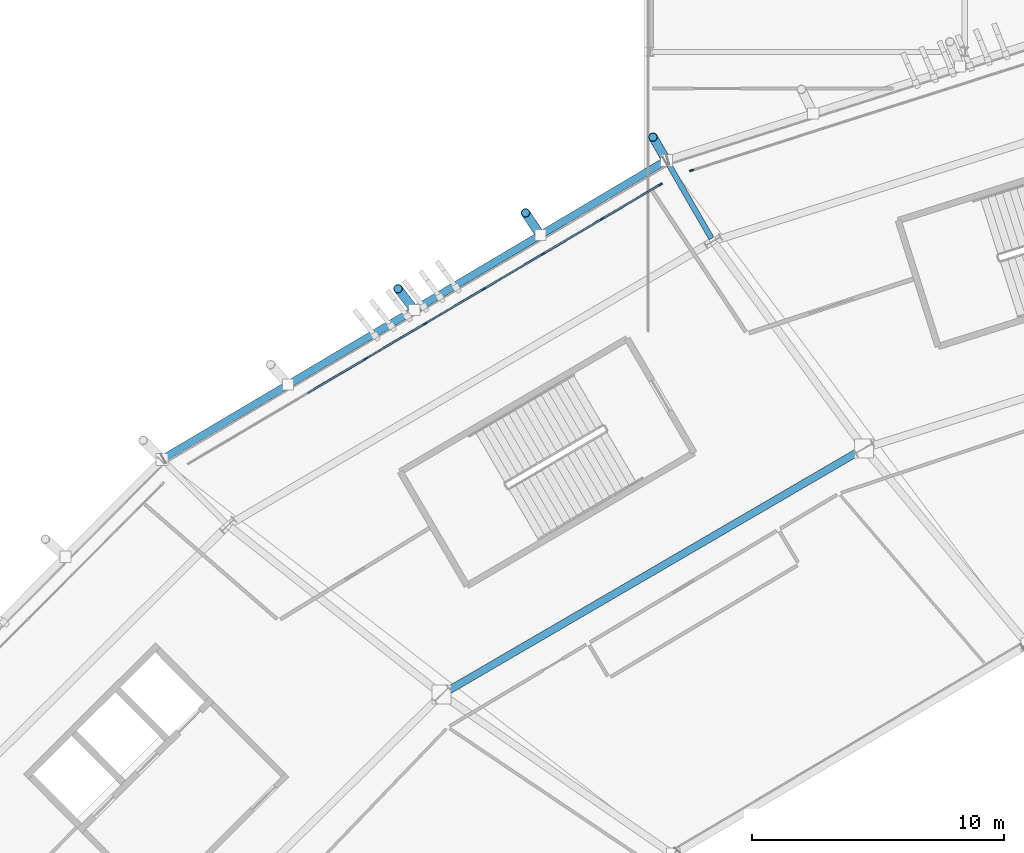
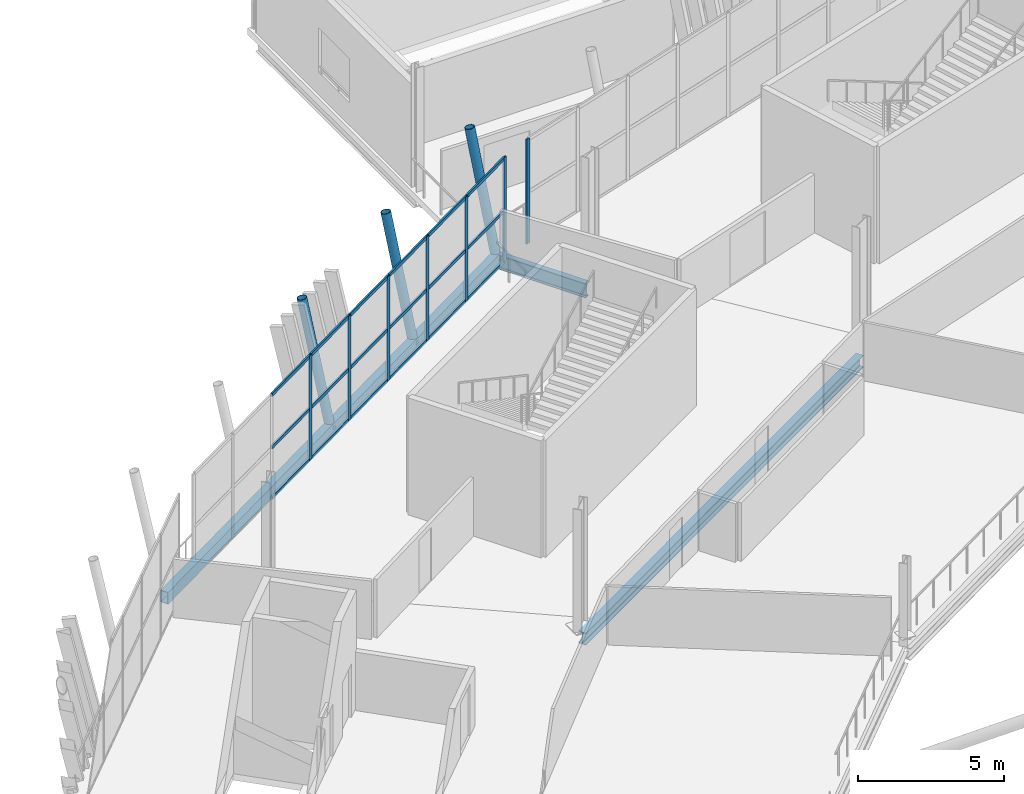
# One storey, part 65 of 168: 28 members, 3 beams, 2 elements without a shape of their own.
"""IFC4 building model written with IfcOpenShell, lengths in metres."""

from ifc_helpers import new_model, si_unit, direction, frame, origin, origin_2d, place, context, subcontext, project, spatial, rectangle, hollow_rectangle, hollow_circle, i_section, extrude, material, material_profile, profile_set, type_object, element, aggregate, save


model = new_model("IFC4")

# Units and contexts
model_context = context("Model", 3, precision=1e-05, world=origin(), true_north=direction((0.0, 1.0)))
body_context = subcontext(model_context, "Body", "Model", "MODEL_VIEW")
ifc_project = project(units=[si_unit("LENGTHUNIT", "METRE"), si_unit("AREAUNIT", "SQUARE_METRE"), si_unit("VOLUMEUNIT", "CUBIC_METRE"), si_unit("PLANEANGLEUNIT", "RADIAN"), si_unit("MASSUNIT", "GRAM", prefix="KILO")], contexts=[model_context])

# Site, building, storey
site_placement = place(None, origin())
site = spatial("IfcSite", under=ifc_project, at=site_placement, CompositionType="ELEMENT")
building_placement = place(site_placement, origin())
building = spatial("IfcBuilding", under=site, at=building_placement, Name="Zlatoyarsky Gate Stadium", CompositionType="ELEMENT")
storey_placement = place(building_placement, frame((0.0, 0.0, 15.60009765625)))
storey = spatial("IfcBuildingStorey", under=building, at=storey_placement, Name="L03", CompositionType="ELEMENT", Elevation=15.60009765625)

# Curtain wall, member
ifc_material_1 = material(Name="Thermally broken anodised aluminium curtain wall", Category="aluminium")
curtain_wall_type = type_object("IfcCurtainWallType", Name="UNITISED CORPORATE BOX GLAZING L03", PredefinedType="USERDEFINED", material=ifc_material_1)
curtain_wall_1_placement = place(storey_placement, origin())
curtain_wall_1 = element("IfcCurtainWall", 1, at=curtain_wall_1_placement, inside=storey, type_object=curtain_wall_type, Name="Curtain wall CW-L03-07", ObjectType="UNITISED GLAZING", PredefinedType="USERDEFINED")
ifc_material_2 = material(Name="Anodised aluminium 6063-T6", Category="aluminium")
ifc_material_profile_1 = material_profile(ifc_material_2, rectangle(XDim=0.06494140625, YDim=0.159912109375, at=origin_2d()), Name="ALU 65X160")
ifc_profile_set_1 = profile_set([ifc_material_profile_1], Name="Anodised aluminium 6063-T6")
member_type_1 = type_object("IfcMemberType", Name="ALUMINIUM MULLION 65X160", PredefinedType="MULLION", material=ifc_profile_set_1)
member_1_placement = place(storey_placement, frame((63.649169921875, 144.29541015625, 0.0), z_axis=(0.0, 0.0, 1.0), x_axis=(0.304162129597, -0.952620280552, 0.0)))
member_1 = element("IfcMember", 2, at=member_1_placement, type_object=member_type_1, Name="CW-UG3 mullion 10", PredefinedType="MULLION", context=body_context, shape_type="SweptSolid", body=[
    extrude(rectangle(XDim=0.06494140625, YDim=0.159912109375, at=origin_2d()), origin(), (0.0, 0.0, 1.0), 4.3798828125),
])
aggregate(curtain_wall_1, [member_1])

# Curtain wall, members
curtain_wall_2_placement = place(storey_placement, origin())
curtain_wall_2 = element("IfcCurtainWall", 3, at=curtain_wall_2_placement, inside=storey, type_object=curtain_wall_type, Name="Curtain wall CW-L03-08", ObjectType="UNITISED GLAZING", PredefinedType="USERDEFINED")
member_2_placement = place(storey_placement, frame((62.411376953125, 143.740234375, 0.0), z_axis=(0.0, 0.0, 1.0), x_axis=(0.509098466593, -0.860708284678, 0.0)))
member_2 = element("IfcMember", 4, at=member_2_placement, type_object=member_type_1, Name="CW-UG3 mullion 1", PredefinedType="MULLION", context=body_context, shape_type="SweptSolid", body=[
    extrude(rectangle(XDim=0.06494140625, YDim=0.159912109375, at=origin_2d()), origin(), (0.0, 0.0, 1.0), 4.3798828125),
])
member_3_placement = place(storey_placement, frame((60.093994140625, 142.36962890625, 0.0), z_axis=(0.0, 0.0, 1.0), x_axis=(0.509098466593, -0.860708284678, 0.0)))
member_3 = element("IfcMember", 5, at=member_3_placement, type_object=member_type_1, Name="CW-UG3 mullion 2", PredefinedType="MULLION", context=body_context, shape_type="SweptSolid", body=[
    extrude(rectangle(XDim=0.06494140625, YDim=0.159912109375, at=origin_2d()), origin(), (0.0, 0.0, 1.0), 4.3798828125),
])
member_4_placement = place(storey_placement, frame((57.74853515625, 140.982177734375, 0.0), z_axis=(0.0, 0.0, 1.0), x_axis=(0.509098466593, -0.860708284678, 0.0)))
member_4 = element("IfcMember", 6, at=member_4_placement, type_object=member_type_1, Name="CW-UG3 mullion 3", PredefinedType="MULLION", context=body_context, shape_type="SweptSolid", body=[
    extrude(rectangle(XDim=0.06494140625, YDim=0.159912109375, at=origin_2d()), origin(), (0.0, 0.0, 1.0), 4.3798828125),
])
member_5_placement = place(storey_placement, frame((55.403076171875, 139.594970703125, 0.0), z_axis=(0.0, 0.0, 1.0), x_axis=(0.509098466593, -0.860708284678, 0.0)))
member_5 = element("IfcMember", 7, at=member_5_placement, type_object=member_type_1, Name="CW-UG3 mullion 4", PredefinedType="MULLION", context=body_context, shape_type="SweptSolid", body=[
    extrude(rectangle(XDim=0.06494140625, YDim=0.159912109375, at=origin_2d()), origin(), (0.0, 0.0, 1.0), 4.3798828125),
])
member_6_placement = place(storey_placement, frame((53.0576171875, 138.207763671875, 0.0), z_axis=(0.0, 0.0, 1.0), x_axis=(0.509098466593, -0.860708284678, 0.0)))
member_6 = element("IfcMember", 8, at=member_6_placement, type_object=member_type_1, Name="CW-UG3 mullion 5", PredefinedType="MULLION", context=body_context, shape_type="SweptSolid", body=[
    extrude(rectangle(XDim=0.06494140625, YDim=0.159912109375, at=origin_2d()), origin(), (0.0, 0.0, 1.0), 4.3798828125),
])
member_7_placement = place(storey_placement, frame((50.712158203125, 136.8203125, 0.0), z_axis=(0.0, 0.0, 1.0), x_axis=(0.509098466593, -0.860708284678, 0.0)))
member_7 = element("IfcMember", 9, at=member_7_placement, type_object=member_type_1, Name="CW-UG3 mullion 6", PredefinedType="MULLION", context=body_context, shape_type="SweptSolid", body=[
    extrude(rectangle(XDim=0.06494140625, YDim=0.159912109375, at=origin_2d()), origin(), (0.0, 0.0, 1.0), 4.3798828125),
])
ifc_material_profile_2 = material_profile(ifc_material_2, rectangle(XDim=0.06494140625, YDim=0.139892578125, at=origin_2d()), Name="ALU 65X140")
ifc_profile_set_2 = profile_set([ifc_material_profile_2], Name="Anodised aluminium 6063-T6")
member_type_2 = type_object("IfcMemberType", Name="ALUMINIUM TRANSOM 65X140", PredefinedType="USERDEFINED", material=ifc_profile_set_2)
member_8_placement = place(storey_placement, frame((62.383544921875, 143.723876953125, 0.032470703125), z_axis=(-0.860730397217, -0.509061080133, 0.0), x_axis=(0.509061080133, -0.860730397217, 0.0)))
member_8 = element("IfcMember", 10, at=member_8_placement, type_object=member_type_2, Name="CW-UG3 transom 1.1", ObjectType="TRANSOM", PredefinedType="USERDEFINED", context=body_context, shape_type="SweptSolid", body=[
    extrude(rectangle(XDim=0.06494140625, YDim=0.139892578125, at=origin_2d()), origin(), (0.0, 0.0, 1.0), 2.627685546875),
])
member_9_placement = place(storey_placement, frame((62.383544921875, 143.723876953125, 2.14990234375), z_axis=(-0.860730397217, -0.509061080133, 0.0), x_axis=(0.509061080133, -0.860730397217, 0.0)))
member_9 = element("IfcMember", 11, at=member_9_placement, type_object=member_type_2, Name="CW-UG3 transom 1.2", ObjectType="TRANSOM", PredefinedType="USERDEFINED", context=body_context, shape_type="SweptSolid", body=[
    extrude(rectangle(XDim=0.06494140625, YDim=0.139892578125, at=origin_2d()), origin(), (0.0, 0.0, 1.0), 2.627685546875),
])
member_10_placement = place(storey_placement, frame((62.383544921875, 143.723876953125, 4.347412109375), z_axis=(-0.860730397217, -0.509061080133, 0.0), x_axis=(0.509061080133, -0.860730397217, 0.0)))
member_10 = element("IfcMember", 12, at=member_10_placement, type_object=member_type_2, Name="CW-UG3 transom 1.3", ObjectType="TRANSOM", PredefinedType="USERDEFINED", context=body_context, shape_type="SweptSolid", body=[
    extrude(rectangle(XDim=0.06494140625, YDim=0.139892578125, at=origin_2d()), origin(), (0.0, 0.0, 1.0), 2.627685546875),
])
member_11_placement = place(storey_placement, frame((60.06591796875, 142.35302734375, 0.032470703125), z_axis=(-0.860707189663, -0.509100317878, 0.0), x_axis=(0.509100317878, -0.860707189663, 0.0)))
member_11 = element("IfcMember", 13, at=member_11_placement, type_object=member_type_2, Name="CW-UG3 transom 2.1", ObjectType="TRANSOM", PredefinedType="USERDEFINED", context=body_context, shape_type="SweptSolid", body=[
    extrude(rectangle(XDim=0.06494140625, YDim=0.139892578125, at=origin_2d()), origin(), (0.0, 0.0, 1.0), 2.66015625),
])
member_12_placement = place(storey_placement, frame((60.06591796875, 142.35302734375, 2.14990234375), z_axis=(-0.860707189663, -0.509100317878, 0.0), x_axis=(0.509100317878, -0.860707189663, 0.0)))
member_12 = element("IfcMember", 14, at=member_12_placement, type_object=member_type_2, Name="CW-UG3 transom 2.2", ObjectType="TRANSOM", PredefinedType="USERDEFINED", context=body_context, shape_type="SweptSolid", body=[
    extrude(rectangle(XDim=0.06494140625, YDim=0.139892578125, at=origin_2d()), origin(), (0.0, 0.0, 1.0), 2.66015625),
])
member_13_placement = place(storey_placement, frame((60.06591796875, 142.35302734375, 4.347412109375), z_axis=(-0.860707189663, -0.509100317878, 0.0), x_axis=(0.509100317878, -0.860707189663, 0.0)))
member_13 = element("IfcMember", 15, at=member_13_placement, type_object=member_type_2, Name="CW-UG3 transom 2.3", ObjectType="TRANSOM", PredefinedType="USERDEFINED", context=body_context, shape_type="SweptSolid", body=[
    extrude(rectangle(XDim=0.06494140625, YDim=0.139892578125, at=origin_2d()), origin(), (0.0, 0.0, 1.0), 2.66015625),
])
member_14_placement = place(storey_placement, frame((57.720458984375, 140.9658203125, 0.032470703125), z_axis=(-0.860707189663, -0.509100317878, 0.0), x_axis=(0.509100317878, -0.860707189663, 0.0)))
member_14 = element("IfcMember", 16, at=member_14_placement, type_object=member_type_2, Name="CW-UG3 transom 3.1", ObjectType="TRANSOM", PredefinedType="USERDEFINED", context=body_context, shape_type="SweptSolid", body=[
    extrude(rectangle(XDim=0.06494140625, YDim=0.139892578125, at=origin_2d()), origin(), (0.0, 0.0, 1.0), 2.66015625),
])
member_15_placement = place(storey_placement, frame((57.720458984375, 140.9658203125, 2.14990234375), z_axis=(-0.860707189663, -0.509100317878, 0.0), x_axis=(0.509100317878, -0.860707189663, 0.0)))
member_15 = element("IfcMember", 17, at=member_15_placement, type_object=member_type_2, Name="CW-UG3 transom 3.2", ObjectType="TRANSOM", PredefinedType="USERDEFINED", context=body_context, shape_type="SweptSolid", body=[
    extrude(rectangle(XDim=0.06494140625, YDim=0.139892578125, at=origin_2d()), origin(), (0.0, 0.0, 1.0), 2.66015625),
])
member_16_placement = place(storey_placement, frame((57.720458984375, 140.9658203125, 4.347412109375), z_axis=(-0.860707189663, -0.509100317878, 0.0), x_axis=(0.509100317878, -0.860707189663, 0.0)))
member_16 = element("IfcMember", 18, at=member_16_placement, type_object=member_type_2, Name="CW-UG3 transom 3.3", ObjectType="TRANSOM", PredefinedType="USERDEFINED", context=body_context, shape_type="SweptSolid", body=[
    extrude(rectangle(XDim=0.06494140625, YDim=0.139892578125, at=origin_2d()), origin(), (0.0, 0.0, 1.0), 2.66015625),
])
member_17_placement = place(storey_placement, frame((55.375, 139.578369140625, 0.032470703125), z_axis=(-0.860707189663, -0.509100317878, 0.0), x_axis=(0.509100317878, -0.860707189663, 0.0)))
member_17 = element("IfcMember", 19, at=member_17_placement, type_object=member_type_2, Name="CW-UG3 transom 4.1", ObjectType="TRANSOM", PredefinedType="USERDEFINED", context=body_context, shape_type="SweptSolid", body=[
    extrude(rectangle(XDim=0.06494140625, YDim=0.139892578125, at=origin_2d()), origin(), (0.0, 0.0, 1.0), 2.66015625),
])
member_18_placement = place(storey_placement, frame((55.375, 139.578369140625, 2.14990234375), z_axis=(-0.860707189663, -0.509100317878, 0.0), x_axis=(0.509100317878, -0.860707189663, 0.0)))
member_18 = element("IfcMember", 20, at=member_18_placement, type_object=member_type_2, Name="CW-UG3 transom 4.2", ObjectType="TRANSOM", PredefinedType="USERDEFINED", context=body_context, shape_type="SweptSolid", body=[
    extrude(rectangle(XDim=0.06494140625, YDim=0.139892578125, at=origin_2d()), origin(), (0.0, 0.0, 1.0), 2.66015625),
])
member_19_placement = place(storey_placement, frame((55.375, 139.578369140625, 4.347412109375), z_axis=(-0.860707189663, -0.509100317878, 0.0), x_axis=(0.509100317878, -0.860707189663, 0.0)))
member_19 = element("IfcMember", 21, at=member_19_placement, type_object=member_type_2, Name="CW-UG3 transom 4.3", ObjectType="TRANSOM", PredefinedType="USERDEFINED", context=body_context, shape_type="SweptSolid", body=[
    extrude(rectangle(XDim=0.06494140625, YDim=0.139892578125, at=origin_2d()), origin(), (0.0, 0.0, 1.0), 2.66015625),
])
member_20_placement = place(storey_placement, frame((53.029541015625, 138.191162109375, 0.032470703125), z_axis=(-0.860707189663, -0.509100317878, 0.0), x_axis=(0.509100317878, -0.860707189663, 0.0)))
member_20 = element("IfcMember", 22, at=member_20_placement, type_object=member_type_2, Name="CW-UG3 transom 5.1", ObjectType="TRANSOM", PredefinedType="USERDEFINED", context=body_context, shape_type="SweptSolid", body=[
    extrude(rectangle(XDim=0.06494140625, YDim=0.139892578125, at=origin_2d()), origin(), (0.0, 0.0, 1.0), 2.66015625),
])
member_21_placement = place(storey_placement, frame((53.029541015625, 138.191162109375, 2.14990234375), z_axis=(-0.860707189663, -0.509100317878, 0.0), x_axis=(0.509100317878, -0.860707189663, 0.0)))
member_21 = element("IfcMember", 23, at=member_21_placement, type_object=member_type_2, Name="CW-UG3 transom 5.2", ObjectType="TRANSOM", PredefinedType="USERDEFINED", context=body_context, shape_type="SweptSolid", body=[
    extrude(rectangle(XDim=0.06494140625, YDim=0.139892578125, at=origin_2d()), origin(), (0.0, 0.0, 1.0), 2.66015625),
])
member_22_placement = place(storey_placement, frame((53.029541015625, 138.191162109375, 4.347412109375), z_axis=(-0.860707189663, -0.509100317878, 0.0), x_axis=(0.509100317878, -0.860707189663, 0.0)))
member_22 = element("IfcMember", 24, at=member_22_placement, type_object=member_type_2, Name="CW-UG3 transom 5.3", ObjectType="TRANSOM", PredefinedType="USERDEFINED", context=body_context, shape_type="SweptSolid", body=[
    extrude(rectangle(XDim=0.06494140625, YDim=0.139892578125, at=origin_2d()), origin(), (0.0, 0.0, 1.0), 2.66015625),
])
member_23_placement = place(storey_placement, frame((50.68408203125, 136.8037109375, 0.032470703125), z_axis=(-0.860707189663, -0.509100317878, 0.0), x_axis=(0.509100317878, -0.860707189663, 0.0)))
member_23 = element("IfcMember", 25, at=member_23_placement, type_object=member_type_2, Name="CW-UG3 transom 6.1", ObjectType="TRANSOM", PredefinedType="USERDEFINED", context=body_context, shape_type="SweptSolid", body=[
    extrude(rectangle(XDim=0.06494140625, YDim=0.139892578125, at=origin_2d()), origin(), (0.0, 0.0, 1.0), 2.66015625),
])
member_24_placement = place(storey_placement, frame((50.68408203125, 136.8037109375, 2.14990234375), z_axis=(-0.860707189663, -0.509100317878, 0.0), x_axis=(0.509100317878, -0.860707189663, 0.0)))
member_24 = element("IfcMember", 26, at=member_24_placement, type_object=member_type_2, Name="CW-UG3 transom 6.2", ObjectType="TRANSOM", PredefinedType="USERDEFINED", context=body_context, shape_type="SweptSolid", body=[
    extrude(rectangle(XDim=0.06494140625, YDim=0.139892578125, at=origin_2d()), origin(), (0.0, 0.0, 1.0), 2.66015625),
])
member_25_placement = place(storey_placement, frame((50.68408203125, 136.8037109375, 4.347412109375), z_axis=(-0.860707189663, -0.509100317878, 0.0), x_axis=(0.509100317878, -0.860707189663, 0.0)))
member_25 = element("IfcMember", 27, at=member_25_placement, type_object=member_type_2, Name="CW-UG3 transom 6.3", ObjectType="TRANSOM", PredefinedType="USERDEFINED", context=body_context, shape_type="SweptSolid", body=[
    extrude(rectangle(XDim=0.06494140625, YDim=0.139892578125, at=origin_2d()), origin(), (0.0, 0.0, 1.0), 2.66015625),
])
aggregate(curtain_wall_2, [member_2, member_3, member_4, member_5, member_6, member_7, member_8, member_9, member_10, member_11, member_12, member_13, member_14, member_15, member_16, member_17, member_18, member_19, member_20, member_21, member_22, member_23, member_24, member_25])

# Beam
ifc_material_3 = material(Name="Steel S355", Category="steel")
ifc_material_profile_3 = material_profile(ifc_material_3, i_section(OverallWidth=0.219970703125, OverallDepth=0.60009765625, WebThickness=0.011962890625, FlangeThickness=0.01904296875, FilletRadius=0.02392578125, at=origin_2d()), Name="IPE 600")
ifc_profile_set_3 = profile_set([ifc_material_profile_3], Name="Steel S355")
beam_type_1 = type_object("IfcBeamType", Name="STEEL CANTILEVER FLOOR BEAM IPE 600", PredefinedType="BEAM", material=ifc_profile_set_3)
beam_1_placement = place(storey_placement, frame((64.43994140625, 141.591796875, -0.580078125), z_axis=(-0.499980071345, 0.866036909293, 0.0), x_axis=(-0.866036909293, -0.499980071345, 0.0)))
element("IfcBeam", 28, at=beam_1_placement, inside=storey, type_object=beam_type_1, Name="Beam B-IPE600 BM-L03-OUT-08", PredefinedType="BEAM", context=body_context, shape_type="SweptSolid", body=[
    extrude(i_section(OverallWidth=0.219970703125, OverallDepth=0.60009765625, WebThickness=0.011962890625, FlangeThickness=0.01904296875, FilletRadius=0.02392578125, at=origin_2d()), origin(), (0.0, 0.0, 1.0), 3.582275390625),
])

# Members
ifc_material_profile_4 = material_profile(ifc_material_3, hollow_circle(Radius=0.177734375, WallThickness=0.02001953125, at=origin_2d()), Name="CHS 355.6X20")
ifc_profile_set_4 = profile_set([ifc_material_profile_4], Name="Steel S355")
member_type_3 = type_object("IfcMemberType", Name="STEEL LEANING RIB RING STRUT CHS 355.6X20", PredefinedType="STRUT", material=ifc_profile_set_4)
member_26_placement = place(storey_placement, frame((62.64892578125, 144.694091796875, -0.580078125), z_axis=(-0.100910684317, 0.174770288575, 0.979424514714), x_axis=(-0.866010359988, -0.500026055714, 0.0)))
element("IfcMember", 29, at=member_26_placement, inside=storey, type_object=member_type_3, Name="Leaning ring strut 08 L03 to L04", PredefinedType="STRUT", context=body_context, shape_type="SweptSolid", body=[
    extrude(hollow_circle(Radius=0.177734375, WallThickness=0.02001953125, at=origin_2d()), origin(), (0.0, 0.0, 1.0), 5.288818359375),
])
member_27_placement = place(storey_placement, frame((57.64208984375, 141.72607421875, -0.530029296875), z_axis=(-0.111417541829, 0.166826182606, 0.979670942802), x_axis=(-0.83158967587, -0.555390503148, 0.0)))
element("IfcMember", 30, at=member_27_placement, inside=storey, type_object=member_type_3, Name="Outward-leaning bowl louvre fin rib L03 08-1", PredefinedType="STRUT", context=body_context, shape_type="SweptSolid", body=[
    extrude(hollow_circle(Radius=0.177734375, WallThickness=0.02001953125, at=origin_2d()), origin(), (0.0, 0.0, 1.0), 5.287353515625),
])
member_28_placement = place(storey_placement, frame((52.635009765625, 138.75830078125, -0.530029296875), z_axis=(-0.121818424354, 0.158807263592, 0.979765545689), x_axis=(-0.793446654293, -0.608639800531, 0.0)))
element("IfcMember", 31, at=member_28_placement, inside=storey, type_object=member_type_3, Name="Outward-leaning bowl louvre fin rib L03 08-2", PredefinedType="STRUT", context=body_context, shape_type="SweptSolid", body=[
    extrude(hollow_circle(Radius=0.177734375, WallThickness=0.02001953125, at=origin_2d()), origin(), (0.0, 0.0, 1.0), 5.286865234375),
])

# Beams
ifc_material_profile_5 = material_profile(ifc_material_3, hollow_rectangle(XDim=0.300048828125, YDim=0.5, WallThickness=0.02001953125, at=origin_2d()), Name="RHS 500X300X20")
ifc_profile_set_5 = profile_set([ifc_material_profile_5], Name="Steel S355")
beam_type_2 = type_object("IfcBeamType", Name="STEEL LOUVRE CARRIER SPANDREL RHS 500X300X20", PredefinedType="SPANDREL", material=ifc_profile_set_5)
beam_2_placement = place(storey_placement, frame((62.631591796875, 144.683837890625, -0.530029296875), z_axis=(-0.860225151422, -0.509914393659, 0.0), x_axis=(0.509914393659, -0.860225151422, 0.0)))
element("IfcBeam", 32, at=beam_2_placement, inside=storey, type_object=beam_type_2, Name="Beam SP-RHS500 BM-L03-SPD-08", PredefinedType="SPANDREL", context=body_context, shape_type="SweptSolid", body=[
    extrude(hollow_rectangle(XDim=0.300048828125, YDim=0.5, WallThickness=0.02001953125, at=origin_2d()), origin(), (0.0, 0.0, 1.0), 23.24169921875),
])
ifc_material_profile_6 = material_profile(ifc_material_3, i_section(OverallWidth=0.300048828125, OverallDepth=0.5, WebThickness=0.014404296875, FlangeThickness=0.028076171875, FilletRadius=0.027099609375, at=origin_2d()), Name="HEB 500")
ifc_profile_set_6 = profile_set([ifc_material_profile_6], Name="Steel S355")
beam_type_3 = type_object("IfcBeamType", Name="STEEL PRIMARY GIRDER HEB 500", PredefinedType="BEAM", material=ifc_profile_set_6)
beam_3_placement = place(storey_placement, frame((70.396240234375, 133.2001953125, -0.530029296875), z_axis=(-0.864054462945, -0.503398336375, 0.0), x_axis=(0.503398336375, -0.864054462945, 0.0)))
element("IfcBeam", 33, at=beam_3_placement, inside=storey, type_object=beam_type_3, Name="Beam G-HEB500 BM-L03-CRB-08", PredefinedType="BEAM", context=body_context, shape_type="SweptSolid", body=[
    extrude(i_section(OverallWidth=0.300048828125, OverallDepth=0.5, WebThickness=0.014404296875, FlangeThickness=0.028076171875, FilletRadius=0.027099609375, at=origin_2d()), origin(), (0.0, 0.0, 1.0), 19.1748046875),
])

save(model, "model.ifc")
